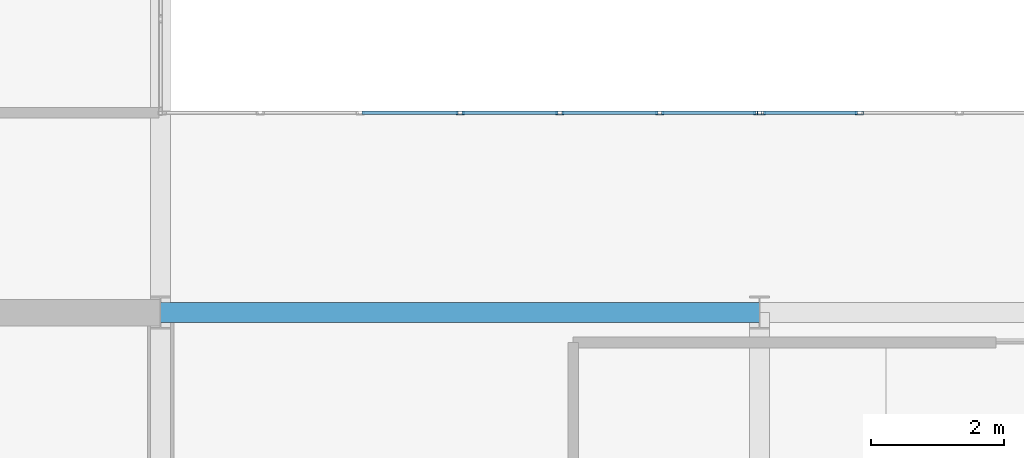
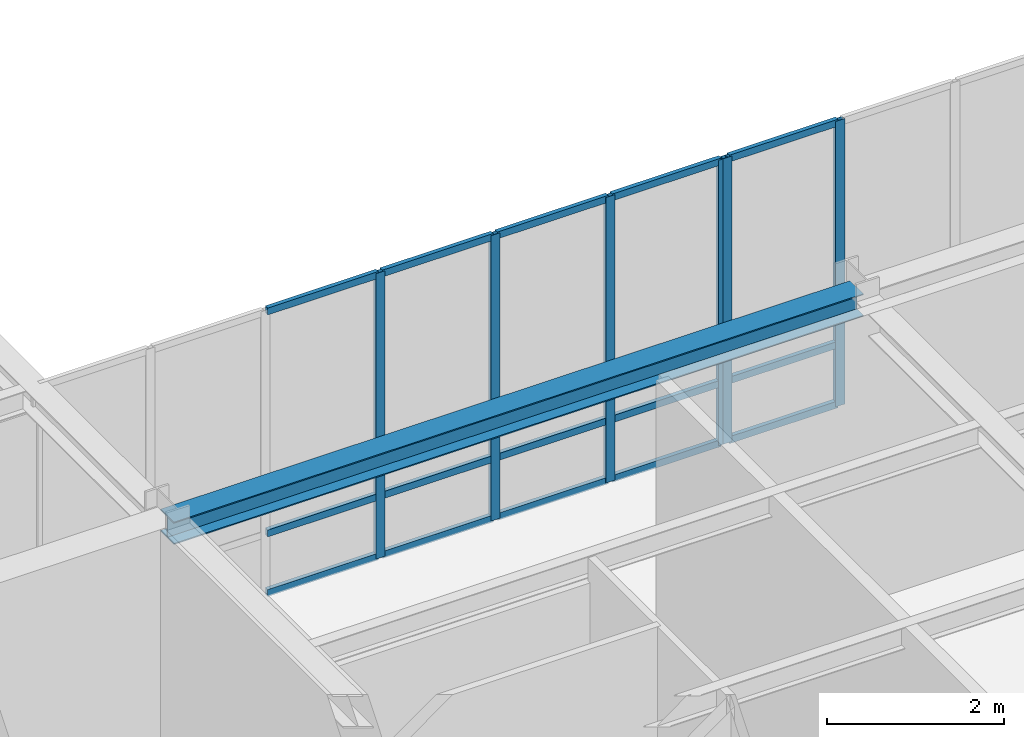
# One storey, part 28 of 108: 21 members, 1 beam, 2 elements without a shape of their own.
"""IFC4 building model written with IfcOpenShell, lengths in metres."""

from ifc_helpers import new_model, si_unit, direction, frame, origin, origin_2d, place, context, subcontext, project, spatial, hollow_rectangle, i_section, extrude, material, material_profile, profile_set, type_object, element, aggregate, save


model = new_model("IFC4")

# Units and contexts
model_context = context("Model", 3, precision=1e-05, world=origin(), true_north=direction((0.0, 1.0)))
body_context = subcontext(model_context, "Body", "Model", "MODEL_VIEW")
ifc_project = project(units=[si_unit("LENGTHUNIT", "METRE"), si_unit("AREAUNIT", "SQUARE_METRE"), si_unit("VOLUMEUNIT", "CUBIC_METRE"), si_unit("PLANEANGLEUNIT", "RADIAN"), si_unit("MASSUNIT", "GRAM", prefix="KILO")], contexts=[model_context])

# Site, building, storey
site_placement = place(None, origin())
site = spatial("IfcSite", under=ifc_project, at=site_placement, CompositionType="ELEMENT")
building_placement = place(site_placement, origin())
building = spatial("IfcBuilding", under=site, at=building_placement, Name="Lykobir Media Centre", CompositionType="ELEMENT")
storey_placement = place(building_placement, frame((0.0, 0.0, 15.0)))
storey = spatial("IfcBuildingStorey", under=building, at=storey_placement, Name="L03", CompositionType="ELEMENT", Elevation=15.0)

# Curtain wall, members
ifc_material_1 = material(Name="Anodized Aluminium AW-6060", Category="aluminium")
curtain_wall_type = type_object("IfcCurtainWallType", Name="CW-COURT-B", PredefinedType="NOTDEFINED", material=ifc_material_1)
curtain_wall_1_placement = place(storey_placement, origin())
curtain_wall_1 = element("IfcCurtainWall", 1, at=curtain_wall_1_placement, inside=storey, type_object=curtain_wall_type, Name="Curtain wall CW2-L03-0111", PredefinedType="NOTDEFINED")
ifc_material_profile_1 = material_profile(ifc_material_1, hollow_rectangle(XDim=0.054931640625, YDim=0.1201171875, WallThickness=0.003173828125, at=origin_2d()), Name="ALU MULLION 55x120")
ifc_profile_set_1 = profile_set([ifc_material_profile_1], Name="Anodized Aluminium AW-6060")
member_type_1 = type_object("IfcMemberType", Name="CWM-120", PredefinedType="MULLION", material=ifc_profile_set_1)
member_1_placement = place(storey_placement, frame((40.5, 21.0, 0.0), z_axis=(0.0, 0.0, 1.0), x_axis=(0.0, 1.0, 0.0)))
member_1 = element("IfcMember", 2, at=member_1_placement, type_object=member_type_1, Name="CW2-L03-0111 mullion 4", PredefinedType="MULLION", context=body_context, shape_type="SweptSolid", body=[
    extrude(hollow_rectangle(XDim=0.054931640625, YDim=0.1201171875, WallThickness=0.003173828125, at=origin_2d()), origin(), (0.0, 0.0, 1.0), 3.93994140625),
])
member_2_placement = place(storey_placement, frame((42.0, 21.0, 0.0), z_axis=(0.0, 0.0, 1.0), x_axis=(0.0, 1.0, 0.0)))
member_2 = element("IfcMember", 3, at=member_2_placement, type_object=member_type_1, Name="CW2-L03-0111 mullion 5", PredefinedType="MULLION", context=body_context, shape_type="SweptSolid", body=[
    extrude(hollow_rectangle(XDim=0.054931640625, YDim=0.1201171875, WallThickness=0.003173828125, at=origin_2d()), origin(), (0.0, 0.0, 1.0), 3.93994140625),
])
member_3_placement = place(storey_placement, frame((43.5, 21.0, 0.0), z_axis=(0.0, 0.0, 1.0), x_axis=(0.0, 1.0, 0.0)))
member_3 = element("IfcMember", 4, at=member_3_placement, type_object=member_type_1, Name="CW2-L03-0111 mullion 6", PredefinedType="MULLION", context=body_context, shape_type="SweptSolid", body=[
    extrude(hollow_rectangle(XDim=0.054931640625, YDim=0.1201171875, WallThickness=0.003173828125, at=origin_2d()), origin(), (0.0, 0.0, 1.0), 3.93994140625),
])
member_4_placement = place(storey_placement, frame((44.972412109375, 21.0, 0.0), z_axis=(0.0, 0.0, 1.0), x_axis=(0.0, 1.0, 0.0)))
member_4 = element("IfcMember", 5, at=member_4_placement, type_object=member_type_1, Name="CW2-L03-0111 mullion 7", PredefinedType="MULLION", context=body_context, shape_type="SweptSolid", body=[
    extrude(hollow_rectangle(XDim=0.054931640625, YDim=0.1201171875, WallThickness=0.003173828125, at=origin_2d()), origin(), (0.0, 0.0, 1.0), 3.93994140625),
])

curtain_wall_2_placement = place(storey_placement, origin())
curtain_wall_2 = element("IfcCurtainWall", 6, at=curtain_wall_2_placement, inside=storey, type_object=curtain_wall_type, Name="Curtain wall CW2-L03-0112", PredefinedType="NOTDEFINED")
member_5_placement = place(storey_placement, frame((45.027587890625, 21.0, 0.0), z_axis=(0.0, 0.0, 1.0), x_axis=(0.0, 1.0, 0.0)))
member_5 = element("IfcMember", 7, at=member_5_placement, type_object=member_type_1, Name="CW2-L03-0112 mullion 1", PredefinedType="MULLION", context=body_context, shape_type="SweptSolid", body=[
    extrude(hollow_rectangle(XDim=0.054931640625, YDim=0.1201171875, WallThickness=0.003173828125, at=origin_2d()), origin(), (0.0, 0.0, 1.0), 3.93994140625),
])
member_6_placement = place(storey_placement, frame((46.5, 21.0, 0.0), z_axis=(0.0, 0.0, 1.0), x_axis=(0.0, 1.0, 0.0)))
member_6 = element("IfcMember", 8, at=member_6_placement, type_object=member_type_1, Name="CW2-L03-0112 mullion 2", PredefinedType="MULLION", context=body_context, shape_type="SweptSolid", body=[
    extrude(hollow_rectangle(XDim=0.054931640625, YDim=0.1201171875, WallThickness=0.003173828125, at=origin_2d()), origin(), (0.0, 0.0, 1.0), 3.93994140625),
])

# Member
ifc_material_profile_2 = material_profile(ifc_material_1, hollow_rectangle(XDim=0.054931640625, YDim=0.094970703125, WallThickness=0.0029296875, at=origin_2d()), Name="ALU TRANSOM 55x95")
ifc_profile_set_2 = profile_set([ifc_material_profile_2], Name="Anodized Aluminium AW-6060")
member_type_2 = type_object("IfcMemberType", Name="CWT-095", PredefinedType="USERDEFINED", material=ifc_profile_set_2)
member_7_placement = place(storey_placement, frame((39.027587890625, 21.0, 0.027587890625), z_axis=(1.0, 0.0, 0.0), x_axis=(0.0, 1.0, 0.0)))
member_7 = element("IfcMember", 9, at=member_7_placement, type_object=member_type_2, Name="CW2-L03-0111 transom 3.1", ObjectType="TRANSOM", PredefinedType="USERDEFINED", context=body_context, shape_type="SweptSolid", body=[
    extrude(hollow_rectangle(XDim=0.054931640625, YDim=0.094970703125, WallThickness=0.0029296875, at=origin_2d()), origin(), (0.0, 0.0, 1.0), 1.44482421875),
])

member_8_placement = place(storey_placement, frame((39.027587890625, 21.0, 0.85009765625), z_axis=(1.0, 0.0, 0.0), x_axis=(0.0, 1.0, 0.0)))
member_8 = element("IfcMember", 10, at=member_8_placement, type_object=member_type_2, Name="CW2-L03-0111 transom 3.2", ObjectType="TRANSOM", PredefinedType="USERDEFINED", context=body_context, shape_type="SweptSolid", body=[
    extrude(hollow_rectangle(XDim=0.054931640625, YDim=0.094970703125, WallThickness=0.0029296875, at=origin_2d()), origin(), (0.0, 0.0, 1.0), 1.44482421875),
])

member_9_placement = place(storey_placement, frame((39.027587890625, 21.0, 3.91259765625), z_axis=(1.0, 0.0, 0.0), x_axis=(0.0, 1.0, 0.0)))
member_9 = element("IfcMember", 11, at=member_9_placement, type_object=member_type_2, Name="CW2-L03-0111 transom 3.3", ObjectType="TRANSOM", PredefinedType="USERDEFINED", context=body_context, shape_type="SweptSolid", body=[
    extrude(hollow_rectangle(XDim=0.054931640625, YDim=0.094970703125, WallThickness=0.0029296875, at=origin_2d()), origin(), (0.0, 0.0, 1.0), 1.44482421875),
])

member_10_placement = place(storey_placement, frame((40.527587890625, 21.0, 0.027587890625), z_axis=(1.0, 0.0, 0.0), x_axis=(0.0, 1.0, 0.0)))
member_10 = element("IfcMember", 12, at=member_10_placement, type_object=member_type_2, Name="CW2-L03-0111 transom 4.1", ObjectType="TRANSOM", PredefinedType="USERDEFINED", context=body_context, shape_type="SweptSolid", body=[
    extrude(hollow_rectangle(XDim=0.054931640625, YDim=0.094970703125, WallThickness=0.0029296875, at=origin_2d()), origin(), (0.0, 0.0, 1.0), 1.44482421875),
])

member_11_placement = place(storey_placement, frame((40.527587890625, 21.0, 0.85009765625), z_axis=(1.0, 0.0, 0.0), x_axis=(0.0, 1.0, 0.0)))
member_11 = element("IfcMember", 13, at=member_11_placement, type_object=member_type_2, Name="CW2-L03-0111 transom 4.2", ObjectType="TRANSOM", PredefinedType="USERDEFINED", context=body_context, shape_type="SweptSolid", body=[
    extrude(hollow_rectangle(XDim=0.054931640625, YDim=0.094970703125, WallThickness=0.0029296875, at=origin_2d()), origin(), (0.0, 0.0, 1.0), 1.44482421875),
])

member_12_placement = place(storey_placement, frame((40.527587890625, 21.0, 3.91259765625), z_axis=(1.0, 0.0, 0.0), x_axis=(0.0, 1.0, 0.0)))
member_12 = element("IfcMember", 14, at=member_12_placement, type_object=member_type_2, Name="CW2-L03-0111 transom 4.3", ObjectType="TRANSOM", PredefinedType="USERDEFINED", context=body_context, shape_type="SweptSolid", body=[
    extrude(hollow_rectangle(XDim=0.054931640625, YDim=0.094970703125, WallThickness=0.0029296875, at=origin_2d()), origin(), (0.0, 0.0, 1.0), 1.44482421875),
])

member_13_placement = place(storey_placement, frame((42.027587890625, 21.0, 0.027587890625), z_axis=(1.0, 0.0, 0.0), x_axis=(0.0, 1.0, 0.0)))
member_13 = element("IfcMember", 15, at=member_13_placement, type_object=member_type_2, Name="CW2-L03-0111 transom 5.1", ObjectType="TRANSOM", PredefinedType="USERDEFINED", context=body_context, shape_type="SweptSolid", body=[
    extrude(hollow_rectangle(XDim=0.054931640625, YDim=0.094970703125, WallThickness=0.0029296875, at=origin_2d()), origin(), (0.0, 0.0, 1.0), 1.44482421875),
])

member_14_placement = place(storey_placement, frame((42.027587890625, 21.0, 0.85009765625), z_axis=(1.0, 0.0, 0.0), x_axis=(0.0, 1.0, 0.0)))
member_14 = element("IfcMember", 16, at=member_14_placement, type_object=member_type_2, Name="CW2-L03-0111 transom 5.2", ObjectType="TRANSOM", PredefinedType="USERDEFINED", context=body_context, shape_type="SweptSolid", body=[
    extrude(hollow_rectangle(XDim=0.054931640625, YDim=0.094970703125, WallThickness=0.0029296875, at=origin_2d()), origin(), (0.0, 0.0, 1.0), 1.44482421875),
])

member_15_placement = place(storey_placement, frame((42.027587890625, 21.0, 3.91259765625), z_axis=(1.0, 0.0, 0.0), x_axis=(0.0, 1.0, 0.0)))
member_15 = element("IfcMember", 17, at=member_15_placement, type_object=member_type_2, Name="CW2-L03-0111 transom 5.3", ObjectType="TRANSOM", PredefinedType="USERDEFINED", context=body_context, shape_type="SweptSolid", body=[
    extrude(hollow_rectangle(XDim=0.054931640625, YDim=0.094970703125, WallThickness=0.0029296875, at=origin_2d()), origin(), (0.0, 0.0, 1.0), 1.44482421875),
])

member_16_placement = place(storey_placement, frame((43.527587890625, 21.0, 0.027587890625), z_axis=(1.0, 0.0, 0.0), x_axis=(0.0, 1.0, 0.0)))
member_16 = element("IfcMember", 18, at=member_16_placement, type_object=member_type_2, Name="CW2-L03-0111 transom 6.1", ObjectType="TRANSOM", PredefinedType="USERDEFINED", context=body_context, shape_type="SweptSolid", body=[
    extrude(hollow_rectangle(XDim=0.054931640625, YDim=0.094970703125, WallThickness=0.0029296875, at=origin_2d()), origin(), (0.0, 0.0, 1.0), 1.41748046875),
])

member_17_placement = place(storey_placement, frame((43.527587890625, 21.0, 0.85009765625), z_axis=(1.0, 0.0, 0.0), x_axis=(0.0, 1.0, 0.0)))
member_17 = element("IfcMember", 19, at=member_17_placement, type_object=member_type_2, Name="CW2-L03-0111 transom 6.2", ObjectType="TRANSOM", PredefinedType="USERDEFINED", context=body_context, shape_type="SweptSolid", body=[
    extrude(hollow_rectangle(XDim=0.054931640625, YDim=0.094970703125, WallThickness=0.0029296875, at=origin_2d()), origin(), (0.0, 0.0, 1.0), 1.41748046875),
])

member_18_placement = place(storey_placement, frame((43.527587890625, 21.0, 3.91259765625), z_axis=(1.0, 0.0, 0.0), x_axis=(0.0, 1.0, 0.0)))
member_18 = element("IfcMember", 20, at=member_18_placement, type_object=member_type_2, Name="CW2-L03-0111 transom 6.3", ObjectType="TRANSOM", PredefinedType="USERDEFINED", context=body_context, shape_type="SweptSolid", body=[
    extrude(hollow_rectangle(XDim=0.054931640625, YDim=0.094970703125, WallThickness=0.0029296875, at=origin_2d()), origin(), (0.0, 0.0, 1.0), 1.41748046875),
])

aggregate(curtain_wall_1, [member_1, member_2, member_3, member_4, member_7, member_8, member_9, member_10, member_11, member_12, member_13, member_14, member_15, member_16, member_17, member_18])

member_19_placement = place(storey_placement, frame((45.054931640625, 21.0, 0.027587890625), z_axis=(1.0, 0.0, 0.0), x_axis=(0.0, 1.0, 0.0)))
member_19 = element("IfcMember", 21, at=member_19_placement, type_object=member_type_2, Name="CW2-L03-0112 transom 1.1", ObjectType="TRANSOM", PredefinedType="USERDEFINED", context=body_context, shape_type="SweptSolid", body=[
    extrude(hollow_rectangle(XDim=0.054931640625, YDim=0.094970703125, WallThickness=0.0029296875, at=origin_2d()), origin(), (0.0, 0.0, 1.0), 1.41748046875),
])

member_20_placement = place(storey_placement, frame((45.054931640625, 21.0, 0.85009765625), z_axis=(1.0, 0.0, 0.0), x_axis=(0.0, 1.0, 0.0)))
member_20 = element("IfcMember", 22, at=member_20_placement, type_object=member_type_2, Name="CW2-L03-0112 transom 1.2", ObjectType="TRANSOM", PredefinedType="USERDEFINED", context=body_context, shape_type="SweptSolid", body=[
    extrude(hollow_rectangle(XDim=0.054931640625, YDim=0.094970703125, WallThickness=0.0029296875, at=origin_2d()), origin(), (0.0, 0.0, 1.0), 1.41748046875),
])

member_21_placement = place(storey_placement, frame((45.054931640625, 21.0, 3.91259765625), z_axis=(1.0, 0.0, 0.0), x_axis=(0.0, 1.0, 0.0)))
member_21 = element("IfcMember", 23, at=member_21_placement, type_object=member_type_2, Name="CW2-L03-0112 transom 1.3", ObjectType="TRANSOM", PredefinedType="USERDEFINED", context=body_context, shape_type="SweptSolid", body=[
    extrude(hollow_rectangle(XDim=0.054931640625, YDim=0.094970703125, WallThickness=0.0029296875, at=origin_2d()), origin(), (0.0, 0.0, 1.0), 1.41748046875),
])

aggregate(curtain_wall_2, [member_5, member_6, member_19, member_20, member_21])

# Beam
ifc_material_2 = material(Name="Steel S355", Category="steel")
ifc_material_profile_3 = material_profile(ifc_material_2, i_section(OverallWidth=0.300048828125, OverallDepth=0.31005859375, WebThickness=0.009033203125, FlangeThickness=0.015380859375, at=origin_2d()), Name="HEA 320")
ifc_profile_set_3 = profile_set([ifc_material_profile_3], Name="Steel S355")
beam_type = type_object("IfcBeamType", Name="SP-HEA320", PredefinedType="SPANDREL", material=ifc_profile_set_3)
beam_placement = place(storey_placement, frame((36.0, 18.0, 3.804931640625), z_axis=(1.0, 0.0, 0.0), x_axis=(0.0, 1.0, 0.0)))
element("IfcBeam", 24, at=beam_placement, inside=storey, type_object=beam_type, Name="Beam BM-L03-0360-0180-0450-0180-1880", PredefinedType="SPANDREL", context=body_context, shape_type="SweptSolid", body=[
    extrude(i_section(OverallWidth=0.300048828125, OverallDepth=0.31005859375, WebThickness=0.009033203125, FlangeThickness=0.015380859375, at=origin_2d()), origin(), (0.0, 0.0, 1.0), 9.0),
])

save(model, "model.ifc")
